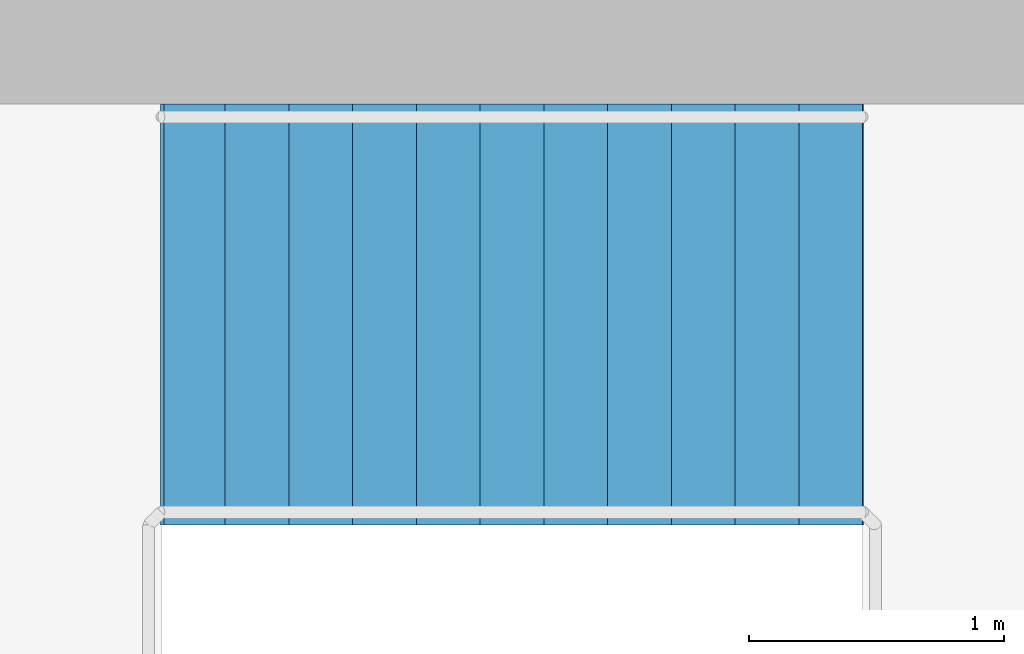
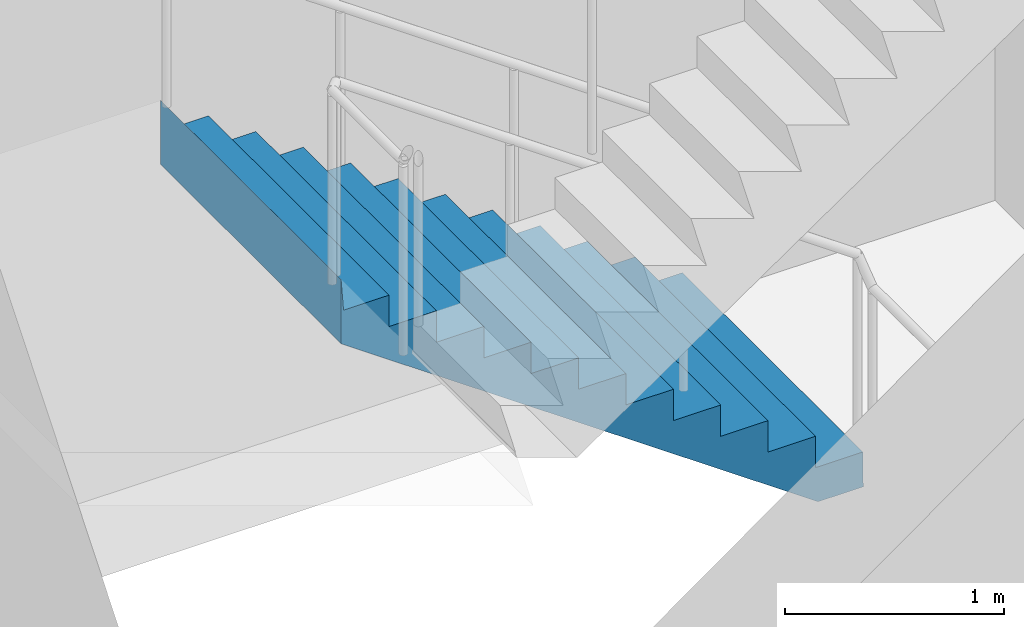
# One storey, part 11 of 13: 1 stair flight, 1 element without a shape of its own.
"""IFC4 building model written with IfcOpenShell, lengths in metres."""

from ifc_helpers import new_model, si_unit, direction, frame, origin, place, context, subcontext, project, spatial, triangles, material, type_object, element, aggregate, save


model = new_model("IFC4")

# Units and contexts
model_context = context("Model", 3, precision=1e-05, world=origin(), true_north=direction((0.0, 1.0)))
body_context = subcontext(model_context, "Body", "Model", "MODEL_VIEW")
ifc_project = project(units=[si_unit("LENGTHUNIT", "METRE"), si_unit("AREAUNIT", "SQUARE_METRE"), si_unit("VOLUMEUNIT", "CUBIC_METRE"), si_unit("PLANEANGLEUNIT", "RADIAN"), si_unit("MASSUNIT", "GRAM", prefix="KILO")], contexts=[model_context])

# Site, building, storey
site_placement = place(None, origin())
site = spatial("IfcSite", under=ifc_project, at=site_placement, CompositionType="ELEMENT")
building_placement = place(site_placement, origin())
building = spatial("IfcBuilding", under=site, at=building_placement, Name="Maasbend Ring Residences", CompositionType="ELEMENT")
storey_placement = place(building_placement, frame((0.0, 0.0, 14.10009765625)))
storey = spatial("IfcBuildingStorey", under=building, at=storey_placement, Name="L03", CompositionType="ELEMENT", Elevation=14.10009765625)

# Stair, stair flight
ifc_material_1 = material(Name="Concrete C40/50", Category="concrete")
stair_type = type_object("IfcStairType", Name="CORE STAIR 24 RISERS", PredefinedType="HALF_TURN_STAIR", material=ifc_material_1)
stair_placement = place(storey_placement, origin())
stair = element("IfcStair", 1, at=stair_placement, inside=storey, type_object=stair_type, Name="L03 Exit stair ST-E1", PredefinedType="HALF_TURN_STAIR")
ifc_material_2 = material(Name="Concrete C40/50", Category="concrete")
stair_flight_type = type_object("IfcStairFlightType", Name="CORE STAIR FLIGHT 1650", PredefinedType="STRAIGHT", material=ifc_material_2)
stair_flight_placement = place(storey_placement, frame((13.550048828125, 7.77490234375, 0.0), z_axis=(0.0, 0.0, 1.0), x_axis=(-1.0, 0.0, 0.0)))
stair_flight = element("IfcStairFlight", 2, at=stair_flight_placement, type_object=stair_flight_type, Name="ST-E1 flight 1", NumberOfRisers=12, NumberOfTreads=11, PredefinedType="STRAIGHT", RiserHeight=0.175, TreadLength=0.25, context=body_context, shape_type="Tessellation", body=[
    triangles([(0.23583984375, 0.824951171875, -0.02001953125), (2.7529296875, 0.824951171875, 1.741943359375), (2.7529296875, 0.824951171875, 2.10009765625), (2.739990234375, 0.824951171875, 1.925048828125), (2.5, 0.824951171875, 1.925048828125), (2.5, 0.824951171875, 1.75), (2.25, 0.824951171875, 1.75), (2.25, 0.824951171875, 1.574951171875), (2.0, 0.824951171875, 1.574951171875), (2.0, 0.824951171875, 1.39990234375), (1.75, 0.824951171875, 1.39990234375), (1.75, 0.824951171875, 1.22509765625), (1.5, 0.824951171875, 1.22509765625), (1.5, 0.824951171875, 1.050048828125), (1.25, 0.824951171875, 1.050048828125), (1.25, 0.824951171875, 0.875), (1.0, 0.824951171875, 0.875), (1.0, 0.824951171875, 0.699951171875), (0.75, 0.824951171875, 0.699951171875), (0.75, 0.824951171875, 0.52490234375), (0.5, 0.824951171875, 0.52490234375), (0.5, 0.824951171875, 0.35009765625), (0.25, 0.824951171875, 0.35009765625), (0.25, 0.824951171875, 0.175048828125), (0.0, 0.824951171875, 0.175048828125), (0.0, 0.824951171875, 0.0), (-0.0029296875, 0.824951171875, 0.0), (-0.0029296875, 0.824951171875, -0.02001953125), (0.23583984375, -0.824951171875, -0.02001953125), (2.7529296875, -0.824951171875, 1.741943359375), (2.7529296875, -0.824951171875, 2.10009765625), (2.739990234375, -0.824951171875, 1.925048828125), (2.5, -0.824951171875, 1.925048828125), (2.5, -0.824951171875, 1.75), (2.25, -0.824951171875, 1.75), (2.25, -0.824951171875, 1.574951171875), (2.0, -0.824951171875, 1.574951171875), (2.0, -0.824951171875, 1.39990234375), (1.75, -0.824951171875, 1.39990234375), (1.75, -0.824951171875, 1.22509765625), (1.5, -0.824951171875, 1.22509765625), (1.5, -0.824951171875, 1.050048828125), (1.25, -0.824951171875, 1.050048828125), (1.25, -0.824951171875, 0.875), (1.0, -0.824951171875, 0.875), (1.0, -0.824951171875, 0.699951171875), (0.75, -0.824951171875, 0.699951171875), (0.75, -0.824951171875, 0.52490234375), (0.5, -0.824951171875, 0.52490234375), (0.5, -0.824951171875, 0.35009765625), (0.25, -0.824951171875, 0.35009765625), (0.25, -0.824951171875, 0.175048828125), (0.0, -0.824951171875, 0.175048828125), (0.0, -0.824951171875, 0.0), (-0.0029296875, -0.824951171875, 0.0), (-0.0029296875, -0.824951171875, -0.02001953125)], [[1, 2, 30], [1, 30, 29], [2, 3, 31], [2, 31, 30], [3, 4, 32], [3, 32, 31], [4, 5, 33], [4, 33, 32], [5, 6, 34], [5, 34, 33], [6, 7, 35], [6, 35, 34], [7, 8, 36], [7, 36, 35], [8, 9, 37], [8, 37, 36], [9, 10, 38], [9, 38, 37], [10, 11, 39], [10, 39, 38], [11, 12, 40], [11, 40, 39], [12, 13, 41], [12, 41, 40], [13, 14, 42], [13, 42, 41], [14, 15, 43], [14, 43, 42], [15, 16, 44], [15, 44, 43], [16, 17, 45], [16, 45, 44], [17, 18, 46], [17, 46, 45], [18, 19, 47], [18, 47, 46], [19, 20, 48], [19, 48, 47], [20, 21, 49], [20, 49, 48], [21, 22, 50], [21, 50, 49], [22, 23, 51], [22, 51, 50], [23, 24, 52], [23, 52, 51], [24, 25, 53], [24, 53, 52], [25, 26, 54], [25, 54, 53], [26, 27, 55], [26, 55, 54], [27, 28, 56], [27, 56, 55], [28, 1, 29], [28, 29, 56], [28, 2, 1], [2, 4, 3], [2, 5, 4], [2, 6, 5], [28, 6, 2], [6, 8, 7], [28, 8, 6], [8, 10, 9], [28, 10, 8], [10, 12, 11], [28, 12, 10], [12, 14, 13], [28, 14, 12], [14, 16, 15], [28, 16, 14], [16, 18, 17], [28, 18, 16], [18, 20, 19], [28, 20, 18], [20, 22, 21], [28, 22, 20], [22, 24, 23], [28, 24, 22], [24, 26, 25], [28, 26, 24], [26, 28, 27], [56, 29, 30], [30, 31, 32], [30, 32, 33], [30, 33, 34], [56, 30, 34], [34, 35, 36], [56, 34, 36], [36, 37, 38], [56, 36, 38], [38, 39, 40], [56, 38, 40], [40, 41, 42], [56, 40, 42], [42, 43, 44], [56, 42, 44], [44, 45, 46], [56, 44, 46], [46, 47, 48], [56, 46, 48], [48, 49, 50], [56, 48, 50], [50, 51, 52], [56, 50, 52], [52, 53, 54], [56, 52, 54], [54, 55, 56]], closed=True),
])
aggregate(stair, [stair_flight])

save(model, "model.ifc")
